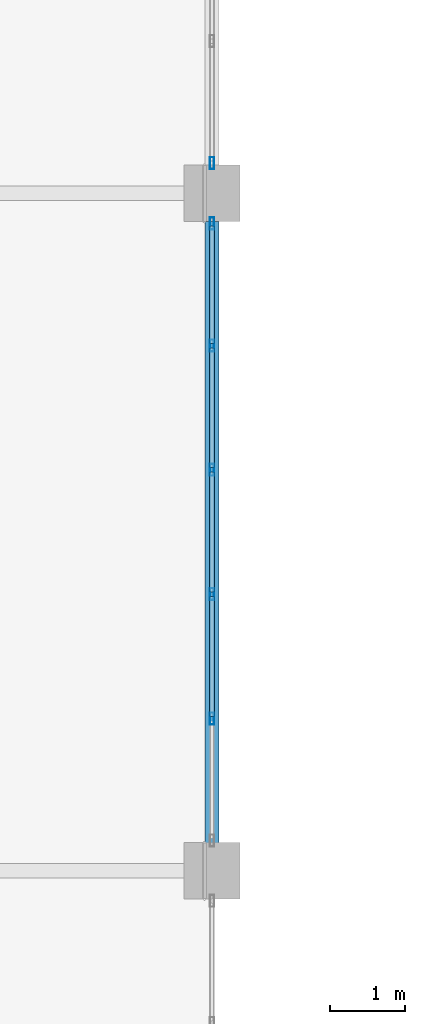
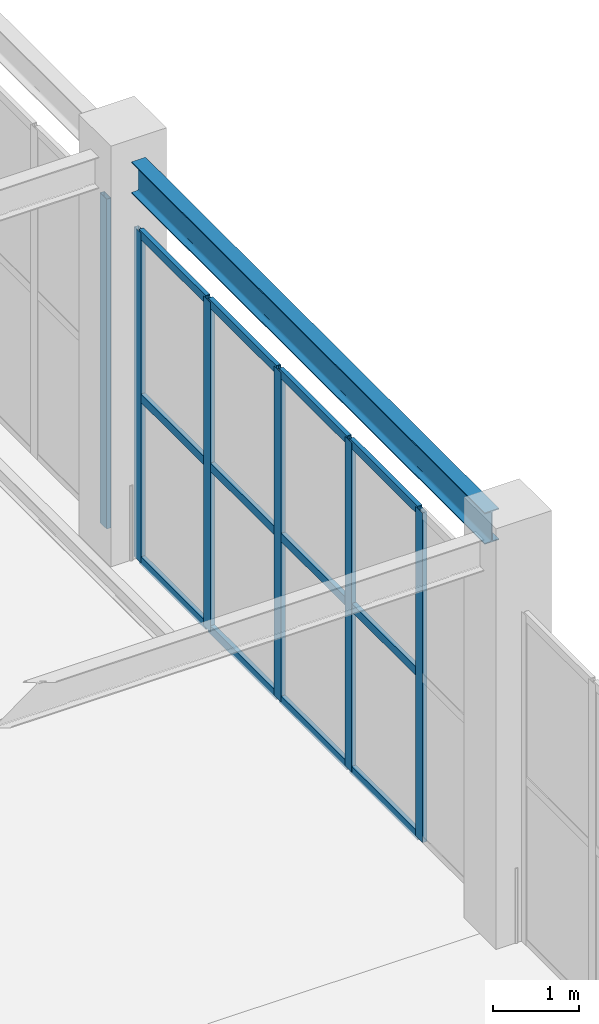
# One storey, part 165 of 223: 18 members, 1 beam, 2 elements without a shape of their own.
"""IFC4 building model written with IfcOpenShell, lengths in metres."""

from ifc_helpers import new_model, si_unit, direction, frame, origin, origin_2d, place, context, subcontext, project, spatial, hollow_rectangle, i_section, extrude, material, layer, layer_set, material_profile, profile_set, type_object, element, aggregate, save


model = new_model("IFC4")

# Units and contexts
model_context = context("Model", 3, precision=1e-05, world=origin(), true_north=direction((0.0, 1.0)))
body_context = subcontext(model_context, "Body", "Model", "MODEL_VIEW")
ifc_project = project(units=[si_unit("LENGTHUNIT", "METRE"), si_unit("AREAUNIT", "SQUARE_METRE"), si_unit("VOLUMEUNIT", "CUBIC_METRE"), si_unit("PLANEANGLEUNIT", "RADIAN"), si_unit("MASSUNIT", "GRAM", prefix="KILO")], contexts=[model_context])

# Site, building, storey
site_placement = place(None, origin())
site = spatial("IfcSite", under=ifc_project, at=site_placement, CompositionType="ELEMENT")
building_placement = place(site_placement, origin())
building = spatial("IfcBuilding", under=site, at=building_placement, Name="Dornveld Trade and Exhibition Forum", CompositionType="ELEMENT")
storey_placement = place(building_placement, frame((0.0, 0.0, 6.0)))
storey = spatial("IfcBuildingStorey", under=building, at=storey_placement, Name="L01", CompositionType="ELEMENT", Elevation=6.0)

# Beam
ifc_material_1 = material(Name="Steel S355J2", Category="steel")
ifc_material_profile_1 = material_profile(ifc_material_1, i_section(OverallWidth=0.18994140625, OverallDepth=0.449951171875, WebThickness=0.009521484375, FlangeThickness=0.0146484375, FilletRadius=0.02099609375, at=origin_2d()), Name="IPE 450")
ifc_profile_set_1 = profile_set([ifc_material_profile_1], Name="Steel S355J2")
beam_type = type_object("IfcBeamType", Name="BM-SEC-450", PredefinedType="BEAM", material=ifc_profile_set_1)
beam_placement = place(storey_placement, frame((216.0, 126.37109375, 5.452880859375), z_axis=(0.0, 1.0, 0.0), x_axis=(-1.0, 0.0, 0.0)))
element("IfcBeam", 1, at=beam_placement, inside=storey, type_object=beam_type, Name="L01 Y-girder 1782", PredefinedType="BEAM", context=body_context, shape_type="SweptSolid", body=[
    extrude(i_section(OverallWidth=0.18994140625, OverallDepth=0.449951171875, WebThickness=0.009521484375, FlangeThickness=0.0146484375, FilletRadius=0.02099609375, at=origin_2d()), origin(), (0.0, 0.0, 1.0), 8.2578125),
])

# Curtain wall, members
ifc_material_2 = material(Name="Dark-bronze anodised aluminium and low-E glass", Category="aluminium")
ifc_layer_1 = layer(ifc_material_2, 0.15087890625)
ifc_layer_set_1 = layer_set([ifc_layer_1], Name="Dark-bronze anodised aluminium and low-E glass")
curtain_wall_type_1 = type_object("IfcCurtainWallType", Name="CW-SYS-03", PredefinedType="USERDEFINED", material=ifc_layer_set_1)
curtain_wall_1_placement = place(storey_placement, origin())
curtain_wall_1 = element("IfcCurtainWall", 2, at=curtain_wall_1_placement, inside=storey, type_object=curtain_wall_type_1, Name="L01 unitised curtain wall 111", ObjectType="UNITISED_CURTAIN_WALL", PredefinedType="USERDEFINED")
ifc_material_3 = material(Name="Dark-bronze anodised aluminium", Category="aluminium")
ifc_material_profile_2 = material_profile(ifc_material_3, hollow_rectangle(XDim=0.06005859375, YDim=0.159912109375, WallThickness=0.00390625, at=origin_2d()), Name="RHS 160x60x4")
ifc_profile_set_2 = profile_set([ifc_material_profile_2], Name="Dark-bronze anodised aluminium")
member_type_1 = type_object("IfcMemberType", Name="CW-MUL-160", PredefinedType="MULLION", material=ifc_profile_set_2)
member_1_placement = place(storey_placement, frame((216.0, 128.022705078125, -0.00390625), z_axis=(0.0, 0.0, 1.0), x_axis=(-1.0, 0.0, 0.0)))
member_1 = element("IfcMember", 3, at=member_1_placement, type_object=member_type_1, Name="CW-03 mullion 2", PredefinedType="MULLION", context=body_context, shape_type="SweptSolid", body=[
    extrude(hollow_rectangle(XDim=0.06005859375, YDim=0.159912109375, WallThickness=0.00390625, at=origin_2d()), origin(), (0.0, 0.0, 1.0), 4.703857421875),
])
member_2_placement = place(storey_placement, frame((216.0, 129.67431640625, -0.00390625), z_axis=(0.0, 0.0, 1.0), x_axis=(-1.0, 0.0, 0.0)))
member_2 = element("IfcMember", 4, at=member_2_placement, type_object=member_type_1, Name="CW-03 mullion 3", PredefinedType="MULLION", context=body_context, shape_type="SweptSolid", body=[
    extrude(hollow_rectangle(XDim=0.06005859375, YDim=0.159912109375, WallThickness=0.00390625, at=origin_2d()), origin(), (0.0, 0.0, 1.0), 4.703857421875),
])
member_3_placement = place(storey_placement, frame((216.0, 131.32568359375, -0.00390625), z_axis=(0.0, 0.0, 1.0), x_axis=(-1.0, 0.0, 0.0)))
member_3 = element("IfcMember", 5, at=member_3_placement, type_object=member_type_1, Name="CW-03 mullion 4", PredefinedType="MULLION", context=body_context, shape_type="SweptSolid", body=[
    extrude(hollow_rectangle(XDim=0.06005859375, YDim=0.159912109375, WallThickness=0.00390625, at=origin_2d()), origin(), (0.0, 0.0, 1.0), 4.703857421875),
])
member_4_placement = place(storey_placement, frame((216.0, 132.977294921875, -0.00390625), z_axis=(0.0, 0.0, 1.0), x_axis=(-1.0, 0.0, 0.0)))
member_4 = element("IfcMember", 6, at=member_4_placement, type_object=member_type_1, Name="CW-03 mullion 5", PredefinedType="MULLION", context=body_context, shape_type="SweptSolid", body=[
    extrude(hollow_rectangle(XDim=0.06005859375, YDim=0.159912109375, WallThickness=0.00390625, at=origin_2d()), origin(), (0.0, 0.0, 1.0), 4.703857421875),
])
member_5_placement = place(storey_placement, frame((216.0, 134.59912109375, -0.00390625), z_axis=(0.0, 0.0, 1.0), x_axis=(-1.0, 0.0, 0.0)))
member_5 = element("IfcMember", 7, at=member_5_placement, type_object=member_type_1, Name="CW-03 mullion 6", PredefinedType="MULLION", context=body_context, shape_type="SweptSolid", body=[
    extrude(hollow_rectangle(XDim=0.06005859375, YDim=0.159912109375, WallThickness=0.00390625, at=origin_2d()), origin(), (0.0, 0.0, 1.0), 4.703857421875),
])

# Curtain wall, member
ifc_material_4 = material(Name="Dark-bronze anodised aluminium and low-E glass", Category="aluminium")
ifc_layer_2 = layer(ifc_material_4, 0.154052734375)
ifc_layer_set_2 = layer_set([ifc_layer_2], Name="Dark-bronze anodised aluminium and low-E glass")
curtain_wall_type_2 = type_object("IfcCurtainWallType", Name="CW-SYS-04", PredefinedType="USERDEFINED", material=ifc_layer_set_2)
curtain_wall_2_placement = place(storey_placement, origin())
curtain_wall_2 = element("IfcCurtainWall", 8, at=curtain_wall_2_placement, inside=storey, type_object=curtain_wall_type_2, Name="L01 unitised curtain wall 112", ObjectType="UNITISED_CURTAIN_WALL", PredefinedType="USERDEFINED")
member_6_placement = place(storey_placement, frame((216.0, 135.40087890625, -0.00390625), z_axis=(0.0, 0.0, 1.0), x_axis=(-1.0, 0.0, 0.0)))
member_6 = element("IfcMember", 9, at=member_6_placement, type_object=member_type_1, Name="CW-04 mullion 1", PredefinedType="MULLION", context=body_context, shape_type="SweptSolid", body=[
    extrude(hollow_rectangle(XDim=0.06005859375, YDim=0.159912109375, WallThickness=0.00390625, at=origin_2d()), origin(), (0.0, 0.0, 1.0), 4.703857421875),
])
aggregate(curtain_wall_2, [member_6])

# Member
ifc_material_5 = material(Name="Dark-bronze anodised aluminium", Category="aluminium")
ifc_material_profile_3 = material_profile(ifc_material_5, hollow_rectangle(XDim=0.06005859375, YDim=0.1201171875, WallThickness=0.00390625, at=origin_2d()), Name="RHS 120x60x4")
ifc_profile_set_3 = profile_set([ifc_material_profile_3], Name="Dark-bronze anodised aluminium")
member_type_2 = type_object("IfcMemberType", Name="CW-TRN-120", PredefinedType="USERDEFINED", material=ifc_profile_set_3)
member_7_placement = place(storey_placement, frame((216.0, 128.052490234375, 0.02587890625), z_axis=(0.0, 1.0, 0.0), x_axis=(-1.0, 0.0, 0.0)))
member_7 = element("IfcMember", 10, at=member_7_placement, type_object=member_type_2, Name="CW-03 transom 2.1", ObjectType="TRANSOM", PredefinedType="USERDEFINED", context=body_context, shape_type="SweptSolid", body=[
    extrude(hollow_rectangle(XDim=0.06005859375, YDim=0.1201171875, WallThickness=0.00390625, at=origin_2d()), origin(), (0.0, 0.0, 1.0), 1.591796875),
])

member_8_placement = place(storey_placement, frame((216.0, 128.052490234375, 2.347900390625), z_axis=(0.0, 1.0, 0.0), x_axis=(-1.0, 0.0, 0.0)))
member_8 = element("IfcMember", 11, at=member_8_placement, type_object=member_type_2, Name="CW-03 transom 2.2", ObjectType="TRANSOM", PredefinedType="USERDEFINED", context=body_context, shape_type="SweptSolid", body=[
    extrude(hollow_rectangle(XDim=0.06005859375, YDim=0.1201171875, WallThickness=0.00390625, at=origin_2d()), origin(), (0.0, 0.0, 1.0), 1.591796875),
])

member_9_placement = place(storey_placement, frame((216.0, 128.052490234375, 4.669921875), z_axis=(0.0, 1.0, 0.0), x_axis=(-1.0, 0.0, 0.0)))
member_9 = element("IfcMember", 12, at=member_9_placement, type_object=member_type_2, Name="CW-03 transom 2.3", ObjectType="TRANSOM", PredefinedType="USERDEFINED", context=body_context, shape_type="SweptSolid", body=[
    extrude(hollow_rectangle(XDim=0.06005859375, YDim=0.1201171875, WallThickness=0.00390625, at=origin_2d()), origin(), (0.0, 0.0, 1.0), 1.591796875),
])

member_10_placement = place(storey_placement, frame((216.0, 129.7041015625, 0.02587890625), z_axis=(0.0, 1.0, 0.0), x_axis=(-1.0, 0.0, 0.0)))
member_10 = element("IfcMember", 13, at=member_10_placement, type_object=member_type_2, Name="CW-03 transom 3.1", ObjectType="TRANSOM", PredefinedType="USERDEFINED", context=body_context, shape_type="SweptSolid", body=[
    extrude(hollow_rectangle(XDim=0.06005859375, YDim=0.1201171875, WallThickness=0.00390625, at=origin_2d()), origin(), (0.0, 0.0, 1.0), 1.591796875),
])

member_11_placement = place(storey_placement, frame((216.0, 129.7041015625, 2.347900390625), z_axis=(0.0, 1.0, 0.0), x_axis=(-1.0, 0.0, 0.0)))
member_11 = element("IfcMember", 14, at=member_11_placement, type_object=member_type_2, Name="CW-03 transom 3.2", ObjectType="TRANSOM", PredefinedType="USERDEFINED", context=body_context, shape_type="SweptSolid", body=[
    extrude(hollow_rectangle(XDim=0.06005859375, YDim=0.1201171875, WallThickness=0.00390625, at=origin_2d()), origin(), (0.0, 0.0, 1.0), 1.591796875),
])

member_12_placement = place(storey_placement, frame((216.0, 129.7041015625, 4.669921875), z_axis=(0.0, 1.0, 0.0), x_axis=(-1.0, 0.0, 0.0)))
member_12 = element("IfcMember", 15, at=member_12_placement, type_object=member_type_2, Name="CW-03 transom 3.3", ObjectType="TRANSOM", PredefinedType="USERDEFINED", context=body_context, shape_type="SweptSolid", body=[
    extrude(hollow_rectangle(XDim=0.06005859375, YDim=0.1201171875, WallThickness=0.00390625, at=origin_2d()), origin(), (0.0, 0.0, 1.0), 1.591796875),
])

member_13_placement = place(storey_placement, frame((216.0, 131.355712890625, 0.02587890625), z_axis=(0.0, 1.0, 0.0), x_axis=(-1.0, 0.0, 0.0)))
member_13 = element("IfcMember", 16, at=member_13_placement, type_object=member_type_2, Name="CW-03 transom 4.1", ObjectType="TRANSOM", PredefinedType="USERDEFINED", context=body_context, shape_type="SweptSolid", body=[
    extrude(hollow_rectangle(XDim=0.06005859375, YDim=0.1201171875, WallThickness=0.00390625, at=origin_2d()), origin(), (0.0, 0.0, 1.0), 1.591796875),
])

member_14_placement = place(storey_placement, frame((216.0, 131.355712890625, 2.347900390625), z_axis=(0.0, 1.0, 0.0), x_axis=(-1.0, 0.0, 0.0)))
member_14 = element("IfcMember", 17, at=member_14_placement, type_object=member_type_2, Name="CW-03 transom 4.2", ObjectType="TRANSOM", PredefinedType="USERDEFINED", context=body_context, shape_type="SweptSolid", body=[
    extrude(hollow_rectangle(XDim=0.06005859375, YDim=0.1201171875, WallThickness=0.00390625, at=origin_2d()), origin(), (0.0, 0.0, 1.0), 1.591796875),
])

member_15_placement = place(storey_placement, frame((216.0, 131.355712890625, 4.669921875), z_axis=(0.0, 1.0, 0.0), x_axis=(-1.0, 0.0, 0.0)))
member_15 = element("IfcMember", 18, at=member_15_placement, type_object=member_type_2, Name="CW-03 transom 4.3", ObjectType="TRANSOM", PredefinedType="USERDEFINED", context=body_context, shape_type="SweptSolid", body=[
    extrude(hollow_rectangle(XDim=0.06005859375, YDim=0.1201171875, WallThickness=0.00390625, at=origin_2d()), origin(), (0.0, 0.0, 1.0), 1.591796875),
])

member_16_placement = place(storey_placement, frame((216.0, 133.00732421875, 0.02587890625), z_axis=(0.0, 1.0, 0.0), x_axis=(-1.0, 0.0, 0.0)))
member_16 = element("IfcMember", 19, at=member_16_placement, type_object=member_type_2, Name="CW-03 transom 5.1", ObjectType="TRANSOM", PredefinedType="USERDEFINED", context=body_context, shape_type="SweptSolid", body=[
    extrude(hollow_rectangle(XDim=0.06005859375, YDim=0.1201171875, WallThickness=0.00390625, at=origin_2d()), origin(), (0.0, 0.0, 1.0), 1.561767578125),
])

member_17_placement = place(storey_placement, frame((216.0, 133.00732421875, 2.347900390625), z_axis=(0.0, 1.0, 0.0), x_axis=(-1.0, 0.0, 0.0)))
member_17 = element("IfcMember", 20, at=member_17_placement, type_object=member_type_2, Name="CW-03 transom 5.2", ObjectType="TRANSOM", PredefinedType="USERDEFINED", context=body_context, shape_type="SweptSolid", body=[
    extrude(hollow_rectangle(XDim=0.06005859375, YDim=0.1201171875, WallThickness=0.00390625, at=origin_2d()), origin(), (0.0, 0.0, 1.0), 1.561767578125),
])

member_18_placement = place(storey_placement, frame((216.0, 133.00732421875, 4.669921875), z_axis=(0.0, 1.0, 0.0), x_axis=(-1.0, 0.0, 0.0)))
member_18 = element("IfcMember", 21, at=member_18_placement, type_object=member_type_2, Name="CW-03 transom 5.3", ObjectType="TRANSOM", PredefinedType="USERDEFINED", context=body_context, shape_type="SweptSolid", body=[
    extrude(hollow_rectangle(XDim=0.06005859375, YDim=0.1201171875, WallThickness=0.00390625, at=origin_2d()), origin(), (0.0, 0.0, 1.0), 1.561767578125),
])

aggregate(curtain_wall_1, [member_1, member_2, member_3, member_4, member_5, member_7, member_8, member_9, member_10, member_11, member_12, member_13, member_14, member_15, member_16, member_17, member_18])

save(model, "model.ifc")
